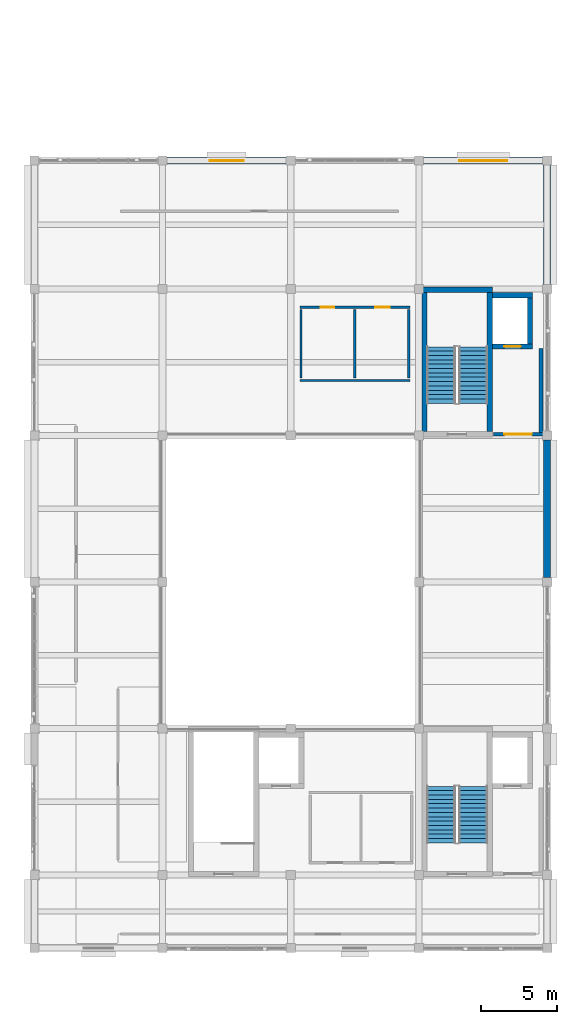
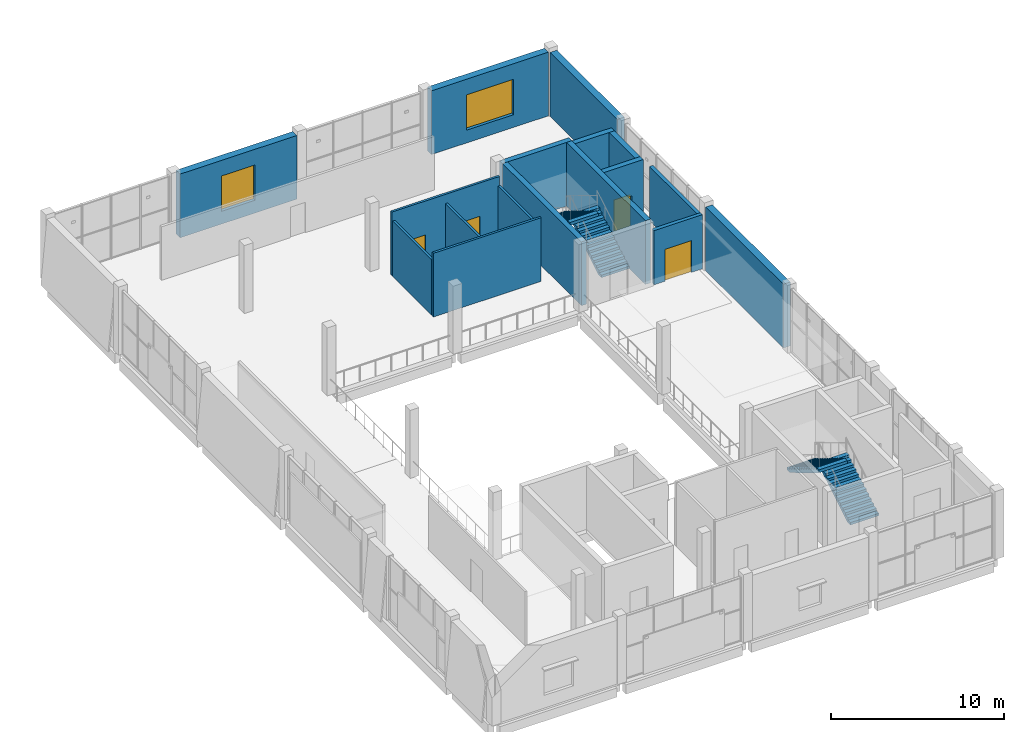
# One storey, part 29 of 37: 17 walls, 4 doors, 4 stair flights, 2 windows, 6 openings, 2 elements without a shape of their own.
"""IFC4 building model written with IfcOpenShell, lengths in metres."""

from ifc_helpers import new_model, si_unit, direction, frame, frame_2d, origin, place, context, subcontext, project, spatial, polyline, rectangle, outline, extrude, material, layer, layer_set, type_object, element, fill, aggregate, save


model = new_model("IFC4")

# Units and contexts
model_context = context("Model", 3, precision=1e-05, world=origin(), true_north=direction((0.0, 1.0)))
body_context = subcontext(model_context, "Body", "Model", "MODEL_VIEW")
ifc_project = project(units=[si_unit("LENGTHUNIT", "METRE"), si_unit("AREAUNIT", "SQUARE_METRE"), si_unit("VOLUMEUNIT", "CUBIC_METRE"), si_unit("PLANEANGLEUNIT", "RADIAN"), si_unit("MASSUNIT", "GRAM", prefix="KILO")], contexts=[model_context])

# Site, building, storey
site_placement = place(None, origin())
site = spatial("IfcSite", under=ifc_project, at=site_placement, CompositionType="ELEMENT")
building_placement = place(site_placement, origin())
building = spatial("IfcBuilding", under=site, at=building_placement, Name="Shalvenor Court Art Gallery", CompositionType="ELEMENT")
storey_placement = place(building_placement, frame((0.0, 0.0, 22.199951171875)))
storey = spatial("IfcBuildingStorey", under=building, at=storey_placement, Name="L04", CompositionType="ELEMENT", Elevation=22.199951171875)

# Walls
ifc_material_1 = material(Name="Concrete C40/50", Category="concrete")
ifc_layer_1 = layer(ifc_material_1, 0.35009765625, Name="Concrete C40/50")
ifc_layer_set_1 = layer_set([ifc_layer_1], Name="Concrete C40/50")
wall_type_1 = type_object("IfcWallType", Name="CW-W1", PredefinedType="SHEAR", material=ifc_layer_set_1)
wall_1_placement = place(storey_placement, frame((168.18798828125, 88.737060546875, 0.0), z_axis=(0.0, 0.0, 1.0), x_axis=(1.0, 0.0, 0.0)))
element("IfcWall", 1, at=wall_1_placement, inside=storey, type_object=wall_type_1, Name="L04 C1 Stair Core Shear Wall N", PredefinedType="SHEAR", context=body_context, shape_type="SweptSolid", body=[
    extrude(rectangle(XDim=4.6240234375, YDim=0.35009765625, at=frame_2d((2.31201171875, 0.0))), origin(), (0.0, 0.0, 1.0), 4.5),
])
for number, where, z_axis, x_axis, name in (
    (2, (172.636962890625, 88.56201171875, 0.0), (0.0, 0.0, 1.0), (0.0, -1.0, 0.0), "L04 C1 Stair Core Shear Wall E"),
    (3, (168.363037109375, 79.43798828125, 0.0), (0.0, 0.0, 1.0), (0.0, 1.0, 0.0), "L04 C1 Stair Core Shear Wall W"),
):
    element("IfcWall", number, at=place(storey_placement, frame(where, z_axis=z_axis, x_axis=x_axis)), inside=storey, type_object=wall_type_1, Name=name, PredefinedType="SHEAR", context=body_context, shape_type="SweptSolid", body=[
        extrude(rectangle(XDim=9.1240234375, YDim=0.35009765625, at=frame_2d((4.56201171875, 0.0))), origin(), (0.0, 0.0, 1.0), 4.5),
    ])
wall_2_placement = place(storey_placement, frame((172.81201171875, 88.375, 0.0), z_axis=(0.0, 0.0, 1.0), x_axis=(1.0, 0.0, 0.0)))
element("IfcWall", 4, at=wall_2_placement, inside=storey, type_object=wall_type_1, Name="L04 FL-01 Lift Shaft Wall N", PredefinedType="SHEAR", context=body_context, shape_type="SweptSolid", body=[
    extrude(rectangle(XDim=2.637939453125, YDim=0.35009765625, at=frame_2d((1.31884765625, 0.0))), origin(), (0.0, 0.0, 1.0), 4.5),
])
wall_3_placement = place(storey_placement, frame((175.27490234375, 88.199951171875, 0.0), z_axis=(0.0, 0.0, 1.0), x_axis=(0.0, -1.0, 0.0)))
element("IfcWall", 5, at=wall_3_placement, inside=storey, type_object=wall_type_1, Name="L04 FL-01 Lift Shaft Wall E", PredefinedType="SHEAR", context=body_context, shape_type="SweptSolid", body=[
    extrude(rectangle(XDim=3.0, YDim=0.35009765625, at=frame_2d((1.5, 0.0))), origin(), (0.0, 0.0, 1.0), 4.5),
])

# Wall, opening, door
wall_4_placement = place(storey_placement, frame((175.449951171875, 85.02490234375, 0.0), z_axis=(0.0, 0.0, 1.0), x_axis=(-1.0, 0.0, 0.0)))
wall_4 = element("IfcWall", 6, at=wall_4_placement, inside=storey, type_object=wall_type_1, Name="L04 FL-01 Lift Shaft Wall S", PredefinedType="SHEAR", context=body_context, shape_type="SweptSolid", body=[
    extrude(rectangle(XDim=2.637939453125, YDim=0.35009765625, at=frame_2d((1.31884765625, 0.0))), origin(), (0.0, 0.0, 1.0), 4.5),
])
opening_1_placement = place(wall_4_placement, frame((0.76904296875, 0.0, 0.0)))
opening_1 = element("IfcOpeningElement", 7, at=opening_1_placement, cuts=wall_4, Name="Opening LD-01", PredefinedType="OPENING", context=body_context, shape_type="SweptSolid", body=[
    extrude(rectangle(XDim=1.10009765625, YDim=2.199951171875, at=frame_2d((0.550048828125, 1.10009765625))), frame((0.0, 0.18505859375, 0.0), z_axis=(0.0, -1.0, 0.0), x_axis=(1.0, 0.0, 0.0)), (0.0, 0.0, 1.0), 0.3701171875),
])
ifc_material_2 = material(Name="Stainless steel firefighting lift sliding landing door", Category="steel")
door_type_1 = type_object("IfcDoorType", Name="LD-01", OperationType="NOTDEFINED", PredefinedType="DOOR", material=ifc_material_2)
door_1_placement = place(opening_1_placement, origin())
door_1 = element("IfcDoor", 8, at=door_1_placement, inside=storey, type_object=door_type_1, Name="DR-LD-L04-FL-01 L04 FL-01 Lift Landing Sliding Door", OperationType="DOUBLE_DOOR_SLIDING", OverallHeight=2.199951171875, OverallWidth=1.10009765625, PredefinedType="DOOR", context=body_context, shape_type="SweptSolid", body=[
    extrude(rectangle(XDim=1.10009765625, YDim=2.199951171875, at=frame_2d((0.550048828125, 1.10009765625))), frame((0.0, 0.02490234375, 0.0), z_axis=(0.0, -1.0, 0.0), x_axis=(1.0, 0.0, 0.0)), (0.0, 0.0, 1.0), 0.050048828125),
])
fill(opening_1, door_1)

# Wall, opening, window
ifc_material_3 = material(Name="Concrete C40/50", Category="concrete")
ifc_layer_2 = layer(ifc_material_3, 0.4599609375, Name="Concrete C40/50")
ifc_layer_set_2 = layer_set([ifc_layer_2], Name="Concrete C40/50")
wall_type_2 = type_object("IfcWallType", Name="EW-01", PredefinedType="SOLIDWALL", material=ifc_layer_set_2)
wall_5_placement = place(storey_placement, frame((151.5, 97.199951171875, 0.0), z_axis=(0.0, 0.0, 1.0), x_axis=(1.0, 0.0, 0.0)))
wall_5 = element("IfcWall", 9, at=wall_5_placement, inside=storey, type_object=wall_type_2, Name="L04 V1 Exterior Wall WL-L04-0086", PredefinedType="SOLIDWALL", context=body_context, shape_type="SweptSolid", body=[
    extrude(rectangle(XDim=7.800048828125, YDim=0.4599609375, at=frame_2d((3.89990234375, 0.0))), origin(), (0.0, 0.0, 1.0), 4.5),
])
opening_2_placement = place(wall_5_placement, frame((2.77490234375, 0.0, 0.89990234375)))
opening_2 = element("IfcOpeningElement", 10, at=opening_2_placement, cuts=wall_5, Name="Opening WN-17", PredefinedType="OPENING", context=body_context, shape_type="SweptSolid", body=[
    extrude(rectangle(XDim=2.25, YDim=2.5, at=frame_2d((1.125, 1.25))), frame((0.0, 0.239990234375, 0.0), z_axis=(0.0, -1.0, 0.0), x_axis=(1.0, 0.0, 0.0)), (0.0, 0.0, 1.0), 0.47998046875),
])
ifc_material_4 = material(Name="North-light conservation clear IGU", Category="glass")
window_type_1 = type_object("IfcWindowType", Name="WN-17", PartitioningType="SINGLE_PANEL", PredefinedType="WINDOW", material=ifc_material_4)
window_1_placement = place(opening_2_placement, origin())
window_1 = element("IfcWindow", 11, at=window_1_placement, inside=storey, type_object=window_type_1, Name="L04 Window WIN-L04-0017", OverallHeight=2.5, OverallWidth=2.25, PartitioningType="SINGLE_PANEL", PredefinedType="WINDOW", context=body_context, shape_type="SweptSolid", body=[
    extrude(rectangle(XDim=2.25, YDim=2.5, at=frame_2d((1.125, 1.25))), frame((0.0, 0.030029296875, 0.0), z_axis=(0.0, -1.0, 0.0), x_axis=(1.0, 0.0, 0.0)), (0.0, 0.0, 1.0), 0.06005859375),
])
fill(opening_2, window_1)

wall_6_placement = place(storey_placement, frame((168.300048828125, 97.199951171875, 0.0), z_axis=(0.0, 0.0, 1.0), x_axis=(1.0, 0.0, 0.0)))
wall_6 = element("IfcWall", 12, at=wall_6_placement, inside=storey, type_object=wall_type_2, Name="L04 V1 Exterior Wall WL-L04-0087", PredefinedType="SOLIDWALL", context=body_context, shape_type="SweptSolid", body=[
    extrude(rectangle(XDim=7.800048828125, YDim=0.4599609375, at=frame_2d((3.89990234375, 0.0))), origin(), (0.0, 0.0, 1.0), 4.5),
])
opening_3_placement = place(wall_6_placement, frame((2.324951171875, 0.0, 0.89990234375)))
opening_3 = element("IfcOpeningElement", 13, at=opening_3_placement, cuts=wall_6, Name="Opening WN-18", PredefinedType="OPENING", context=body_context, shape_type="SweptSolid", body=[
    extrude(rectangle(XDim=3.14990234375, YDim=2.5, at=frame_2d((1.574951171875, 1.25))), frame((0.0, 0.239990234375, 0.0), z_axis=(0.0, -1.0, 0.0), x_axis=(1.0, 0.0, 0.0)), (0.0, 0.0, 1.0), 0.47998046875),
])
ifc_material_5 = material(Name="North-light conservation clear IGU", Category="glass")
window_type_2 = type_object("IfcWindowType", Name="WN-18", PartitioningType="SINGLE_PANEL", PredefinedType="WINDOW", material=ifc_material_5)
window_2_placement = place(opening_3_placement, origin())
window_2 = element("IfcWindow", 14, at=window_2_placement, inside=storey, type_object=window_type_2, Name="L04 Window WIN-L04-0018", OverallHeight=2.5, OverallWidth=3.14990234375, PartitioningType="SINGLE_PANEL", PredefinedType="WINDOW", context=body_context, shape_type="SweptSolid", body=[
    extrude(rectangle(XDim=3.14990234375, YDim=2.5, at=frame_2d((1.574951171875, 1.25))), frame((0.0, 0.030029296875, 0.0), z_axis=(0.0, -1.0, 0.0), x_axis=(1.0, 0.0, 0.0)), (0.0, 0.0, 1.0), 0.06005859375),
])
fill(opening_3, window_2)

# Walls
wall_7_placement = place(storey_placement, frame((176.39990234375, 96.89990234375, 0.0), z_axis=(0.0, 0.0, 1.0), x_axis=(0.0, -1.0, 0.0)))
element("IfcWall", 15, at=wall_7_placement, inside=storey, type_object=wall_type_2, Name="L04 V1 Exterior Wall WL-L04-0088", PredefinedType="SOLIDWALL", context=body_context, shape_type="SweptSolid", body=[
    extrude(rectangle(XDim=7.7998046875, YDim=0.4599609375, at=frame_2d((3.89990234375, 0.0))), origin(), (0.0, 0.0, 1.0), 4.5),
])
wall_8_placement = place(storey_placement, frame((176.39990234375, 78.89990234375, 0.0), z_axis=(0.0, 0.0, 1.0), x_axis=(0.0, -1.0, 0.0)))
element("IfcWall", 16, at=wall_8_placement, inside=storey, type_object=wall_type_2, Name="L04 V1 Exterior Wall WL-L04-0089", PredefinedType="SOLIDWALL", context=body_context, shape_type="SweptSolid", body=[
    extrude(rectangle(XDim=9.0, YDim=0.4599609375, at=frame_2d((4.5, 0.0))), origin(), (0.0, 0.0, 1.0), 4.5),
])
ifc_material_6 = material(Name="Concrete blockwork fire wall", Category="masonry")
ifc_layer_3 = layer(ifc_material_6, 0.239990234375, Name="Concrete blockwork fire wall")
ifc_layer_set_3 = layer_set([ifc_layer_3], Name="Concrete blockwork fire wall")
wall_type_3 = type_object("IfcWallType", Name="FW-01", PredefinedType="PARTITIONING", material=ifc_layer_set_3)
wall_9_placement = place(storey_placement, frame((176.0, 84.89990234375, 0.0), z_axis=(0.0, 0.0, 1.0), x_axis=(0.0, -1.0, 0.0)))
element("IfcWall", 17, at=wall_9_placement, inside=storey, type_object=wall_type_3, Name="L04 C1 Firefighting Lobby Wall E", PredefinedType="PARTITIONING", context=body_context, shape_type="SweptSolid", body=[
    extrude(rectangle(XDim=5.5, YDim=0.239990234375, at=frame_2d((2.75, 0.0))), origin(), (0.0, 0.0, 1.0), 3.824951171875),
])

# Wall, opening, door
wall_10_placement = place(storey_placement, frame((176.1201171875, 79.280029296875, 0.0), z_axis=(0.0, 0.0, 1.0), x_axis=(-1.0, 0.0, 0.0)))
wall_10 = element("IfcWall", 18, at=wall_10_placement, inside=storey, type_object=wall_type_3, Name="L04 C1 Firefighting Lobby Wall S", PredefinedType="PARTITIONING", context=body_context, shape_type="SweptSolid", body=[
    extrude(rectangle(XDim=3.25, YDim=0.239990234375, at=frame_2d((1.625, 0.0))), origin(), (0.0, 0.0, 1.0), 3.824951171875),
])
opening_4_placement = place(wall_10_placement, frame((0.72509765625, 0.0, 0.0)))
opening_4 = element("IfcOpeningElement", 19, at=opening_4_placement, cuts=wall_10, Name="Opening FD-02", PredefinedType="OPENING", context=body_context, shape_type="SweptSolid", body=[
    extrude(rectangle(XDim=1.800048828125, YDim=2.25, at=frame_2d((0.89990234375, 1.125))), frame((0.0, 0.1298828125, 0.0), z_axis=(0.0, -1.0, 0.0), x_axis=(1.0, 0.0, 0.0)), (0.0, 0.0, 1.0), 0.260009765625),
])
ifc_material_7 = material(Name="Fire-rated double lobby doorset", Category="steel")
door_type_2 = type_object("IfcDoorType", Name="FD-02", OperationType="NOTDEFINED", PredefinedType="DOOR", material=ifc_material_7)
door_2_placement = place(opening_4_placement, origin())
door_2 = element("IfcDoor", 20, at=door_2_placement, inside=storey, type_object=door_type_2, Name="DR-FFL-L04-C1 L04 C1 Firefighting Lobby Double Door", OperationType="DOUBLE_DOOR_SINGLE_SWING", OverallHeight=2.25, OverallWidth=1.800048828125, PredefinedType="DOOR", context=body_context, shape_type="SweptSolid", body=[
    extrude(rectangle(XDim=1.800048828125, YDim=2.25, at=frame_2d((0.89990234375, 1.125))), frame((0.0, 0.02490234375, 0.0), z_axis=(0.0, -1.0, 0.0), x_axis=(1.0, 0.0, 0.0)), (0.0, 0.0, 1.0), 0.050048828125),
])
fill(opening_4, door_2)

# Wall, openings, doors
ifc_material_8 = material(Name="Moisture-resistant sanitary partition", Category="other")
ifc_layer_4 = layer(ifc_material_8, 0.14990234375, Name="Moisture-resistant sanitary partition")
ifc_layer_set_4 = layer_set([ifc_layer_4], Name="Moisture-resistant sanitary partition")
wall_type_4 = type_object("IfcWallType", Name="PT-03", PredefinedType="PARTITIONING", material=ifc_layer_set_4)
wall_11_placement = place(storey_placement, frame((160.199951171875, 87.60009765625, 0.0), z_axis=(0.0, 0.0, 1.0), x_axis=(1.0, 0.0, 0.0)))
wall_11 = element("IfcWall", 21, at=wall_11_placement, inside=storey, type_object=wall_type_4, Name="L04 C1 Restroom Front Partition", PredefinedType="PARTITIONING", context=body_context, shape_type="SweptSolid", body=[
    extrude(rectangle(XDim=7.199951171875, YDim=0.14990234375, at=frame_2d((3.60009765625, 0.0))), origin(), (0.0, 0.0, 1.0), 4.5),
])
opening_5_placement = place(wall_11_placement, frame((1.35009765625, 0.0, 0.0)))
opening_5 = element("IfcOpeningElement", 22, at=opening_5_placement, cuts=wall_11, Name="Opening ID-07", PredefinedType="OPENING", context=body_context, shape_type="SweptSolid", body=[
    extrude(rectangle(XDim=0.89990234375, YDim=2.10009765625, at=frame_2d((0.449951171875, 1.050048828125))), frame((0.0, 0.0849609375, 0.0), z_axis=(0.0, -1.0, 0.0), x_axis=(1.0, 0.0, 0.0)), (0.0, 0.0, 1.0), 0.169921875),
])
opening_6_placement = place(wall_11_placement, frame((4.925048828125, 0.0, 0.0)))
opening_6 = element("IfcOpeningElement", 23, at=opening_6_placement, cuts=wall_11, Name="Opening ID-06", PredefinedType="OPENING", context=body_context, shape_type="SweptSolid", body=[
    extrude(rectangle(XDim=0.949951171875, YDim=2.14990234375, at=frame_2d((0.47509765625, 1.074951171875))), frame((0.0, 0.0849609375, 0.0), z_axis=(0.0, -1.0, 0.0), x_axis=(1.0, 0.0, 0.0)), (0.0, 0.0, 1.0), 0.169921875),
])
ifc_material_9 = material(Name="Accessible restroom doorset", Category="steel")
door_type_3 = type_object("IfcDoorType", Name="ID-06", OperationType="NOTDEFINED", PredefinedType="DOOR", material=ifc_material_9)
door_3_placement = place(opening_6_placement, origin())
door_3 = element("IfcDoor", 24, at=door_3_placement, inside=storey, type_object=door_type_3, Name="DR-AWC-L04-C1-2 L04 C1 Accessible Restroom Door", OperationType="SINGLE_SWING_LEFT", OverallHeight=2.14990234375, OverallWidth=0.949951171875, PredefinedType="DOOR", context=body_context, shape_type="SweptSolid", body=[
    extrude(rectangle(XDim=0.949951171875, YDim=2.14990234375, at=frame_2d((0.47509765625, 1.074951171875))), frame((0.0, 0.02490234375, 0.0), z_axis=(0.0, -1.0, 0.0), x_axis=(1.0, 0.0, 0.0)), (0.0, 0.0, 1.0), 0.050048828125),
])
fill(opening_6, door_3)
ifc_material_10 = material(Name="Restroom timber doorset", Category="wood")
door_type_4 = type_object("IfcDoorType", Name="ID-07", OperationType="NOTDEFINED", PredefinedType="DOOR", material=ifc_material_10)
door_4_placement = place(opening_5_placement, origin())
door_4 = element("IfcDoor", 25, at=door_4_placement, inside=storey, type_object=door_type_4, Name="DR-WC-L04-C1-1 L04 C1 Public Restroom Door", OperationType="SINGLE_SWING_RIGHT", OverallHeight=2.10009765625, OverallWidth=0.89990234375, PredefinedType="DOOR", context=body_context, shape_type="SweptSolid", body=[
    extrude(rectangle(XDim=0.89990234375, YDim=2.10009765625, at=frame_2d((0.449951171875, 1.050048828125))), frame((0.0, 0.02490234375, 0.0), z_axis=(0.0, -1.0, 0.0), x_axis=(1.0, 0.0, 0.0)), (0.0, 0.0, 1.0), 0.050048828125),
])
fill(opening_5, door_4)

# Walls
wall_12_placement = place(storey_placement, frame((160.199951171875, 82.800048828125, 0.0), z_axis=(0.0, 0.0, 1.0), x_axis=(1.0, 0.0, 0.0)))
element("IfcWall", 26, at=wall_12_placement, inside=storey, type_object=wall_type_4, Name="L04 C1 Restroom Back Partition", PredefinedType="PARTITIONING", context=body_context, shape_type="SweptSolid", body=[
    extrude(rectangle(XDim=7.199951171875, YDim=0.14990234375, at=frame_2d((3.60009765625, 0.0))), origin(), (0.0, 0.0, 1.0), 4.5),
])
for number, where, z_axis, x_axis, name in (
    (27, (160.27490234375, 82.9599609375, 0.0), (0.0, 0.0, 1.0), (0.0, 1.0, 0.0), "L04 C1 Restroom Partition L"),
    (28, (163.800048828125, 82.9599609375, 0.0), (0.0, 0.0, 1.0), (0.0, 1.0, 0.0), "L04 C1 Restroom Partition M"),
    (29, (167.324951171875, 82.9599609375, 0.0), (0.0, 0.0, 1.0), (0.0, 1.0, 0.0), "L04 C1 Restroom Partition R"),
):
    element("IfcWall", number, at=place(storey_placement, frame(where, z_axis=z_axis, x_axis=x_axis)), inside=storey, type_object=wall_type_4, Name=name, PredefinedType="PARTITIONING", context=body_context, shape_type="SweptSolid", body=[
        extrude(rectangle(XDim=4.47998046875, YDim=0.14990234375, at=frame_2d((2.239990234375, 0.0))), origin(), (0.0, 0.0, 1.0), 3.925048828125),
    ])

# Stair, stair flights
ifc_material_11 = material(Name="Concrete C40/50", Category="concrete")
stair_type = type_object("IfcStairType", Name="ST-DL-28R-1900", PredefinedType="HALF_TURN_STAIR", material=ifc_material_11)
stair_1_placement = place(storey_placement, origin())
stair_1 = element("IfcStair", 30, at=stair_1_placement, inside=storey, type_object=stair_type, Name="L04 Core Dogleg Stair ST-01", PredefinedType="HALF_TURN_STAIR")
ifc_material_12 = material(Name="Concrete C40/50", Category="concrete")
stair_flight_type = type_object("IfcStairFlightType", Name="FL-DL-14R-1900", PredefinedType="STRAIGHT", material=ifc_material_12)
stair_flight_1_placement = place(storey_placement, frame((171.550048828125, 81.300048828125, 0.0), z_axis=(0.0, 0.0, 1.0), x_axis=(0.0, 1.0, 0.0)))
stair_flight_1 = element("IfcStairFlight", 31, at=stair_flight_1_placement, type_object=stair_flight_type, Name="ST-DL-28R-1900 flight 1", NumberOfRisers=14, NumberOfTreads=13, PredefinedType="STRAIGHT", RiserHeight=0.171428571, TreadLength=0.285, context=body_context, shape_type="SweptSolid", body=[
    extrude(outline(polyline([(0.0, 0.0), (0.0, 0.17138671875), (0.284912109375, 0.17138671875), (0.284912109375, 0.3427734375), (0.570068359375, 0.3427734375), (0.570068359375, 0.514404296875), (0.85498046875, 0.514404296875), (0.85498046875, 0.685791015625), (1.139892578125, 0.685791015625), (1.139892578125, 0.857177734375), (1.425048828125, 0.857177734375), (1.425048828125, 1.028564453125), (1.7099609375, 1.028564453125), (1.7099609375, 1.199951171875), (1.9951171875, 1.199951171875), (1.9951171875, 1.371337890625), (2.280029296875, 1.371337890625), (2.280029296875, 1.54296875), (2.56494140625, 1.54296875), (2.56494140625, 1.71435546875), (2.85009765625, 1.71435546875), (2.85009765625, 1.8857421875), (3.135009765625, 1.8857421875), (3.135009765625, 2.05712890625), (3.419921875, 2.05712890625), (3.419921875, 2.228515625), (3.705078125, 2.228515625), (3.705078125, 2.39990234375), (3.705078125, 2.0185546875), (0.34912109375, 0.0), (0.0, 0.0)])), frame((0.0, 0.949951171875, 0.0), z_axis=(0.0, -1.0, 0.0), x_axis=(1.0, 0.0, 0.0)), (0.0, 0.0, 1.0), 1.89990234375),
])
stair_flight_2_placement = place(storey_placement, frame((169.449951171875, 85.0048828125, 2.400146484375), z_axis=(0.0, 0.0, 1.0), x_axis=(0.0, -1.0, 0.0)))
stair_flight_2 = element("IfcStairFlight", 32, at=stair_flight_2_placement, type_object=stair_flight_type, Name="ST-DL-28R-1900 flight 2", NumberOfRisers=14, NumberOfTreads=13, PredefinedType="STRAIGHT", RiserHeight=0.171428571, TreadLength=0.285, context=body_context, shape_type="SweptSolid", body=[
    extrude(outline(polyline([(0.0, 0.0), (0.0, 0.17138671875), (0.284912109375, 0.17138671875), (0.284912109375, 0.3427734375), (0.570068359375, 0.3427734375), (0.570068359375, 0.514404296875), (0.85498046875, 0.514404296875), (0.85498046875, 0.685791015625), (1.139892578125, 0.685791015625), (1.139892578125, 0.857177734375), (1.425048828125, 0.857177734375), (1.425048828125, 1.028564453125), (1.7099609375, 1.028564453125), (1.7099609375, 1.199951171875), (1.9951171875, 1.199951171875), (1.9951171875, 1.371337890625), (2.280029296875, 1.371337890625), (2.280029296875, 1.54296875), (2.56494140625, 1.54296875), (2.56494140625, 1.71435546875), (2.85009765625, 1.71435546875), (2.85009765625, 1.8857421875), (3.135009765625, 1.8857421875), (3.135009765625, 2.05712890625), (3.419921875, 2.05712890625), (3.419921875, 2.228515625), (3.705078125, 2.228515625), (3.705078125, 2.39990234375), (3.705078125, 2.0185546875), (0.34912109375, 0.0), (0.0, 0.0)])), frame((0.0, 0.949951171875, 0.0), z_axis=(0.0, -1.0, 0.0), x_axis=(1.0, 0.0, 0.0)), (0.0, 0.0, 1.0), 1.89990234375),
])
aggregate(stair_1, [stair_flight_1, stair_flight_2])

stair_2_placement = place(storey_placement, origin())
stair_2 = element("IfcStair", 33, at=stair_2_placement, inside=storey, type_object=stair_type, Name="L04 Core Dogleg Stair ST-02", PredefinedType="HALF_TURN_STAIR")
stair_flight_3_placement = place(storey_placement, frame((171.550048828125, 52.5, 0.0), z_axis=(0.0, 0.0, 1.0), x_axis=(0.0, 1.0, 0.0)))
stair_flight_3 = element("IfcStairFlight", 34, at=stair_flight_3_placement, type_object=stair_flight_type, Name="ST-DL-28R-1900 flight 1", NumberOfRisers=14, NumberOfTreads=13, PredefinedType="STRAIGHT", RiserHeight=0.171428571, TreadLength=0.285, context=body_context, shape_type="SweptSolid", body=[
    extrude(outline(polyline([(0.0, 0.0), (0.0, 0.17138671875), (0.284912109375, 0.17138671875), (0.284912109375, 0.3427734375), (0.570068359375, 0.3427734375), (0.570068359375, 0.514404296875), (0.85498046875, 0.514404296875), (0.85498046875, 0.685791015625), (1.139892578125, 0.685791015625), (1.139892578125, 0.857177734375), (1.425048828125, 0.857177734375), (1.425048828125, 1.028564453125), (1.7099609375, 1.028564453125), (1.7099609375, 1.199951171875), (1.9951171875, 1.199951171875), (1.9951171875, 1.371337890625), (2.280029296875, 1.371337890625), (2.280029296875, 1.54296875), (2.56494140625, 1.54296875), (2.56494140625, 1.71435546875), (2.85009765625, 1.71435546875), (2.85009765625, 1.8857421875), (3.135009765625, 1.8857421875), (3.135009765625, 2.05712890625), (3.419921875, 2.05712890625), (3.419921875, 2.228515625), (3.705078125, 2.228515625), (3.705078125, 2.39990234375), (3.705078125, 2.0185546875), (0.34912109375, 0.0), (0.0, 0.0)])), frame((0.0, 0.949951171875, 0.0), z_axis=(0.0, -1.0, 0.0), x_axis=(1.0, 0.0, 0.0)), (0.0, 0.0, 1.0), 1.89990234375),
])
stair_flight_4_placement = place(storey_placement, frame((169.449951171875, 56.205078125, 2.400146484375), z_axis=(0.0, 0.0, 1.0), x_axis=(0.0, -1.0, 0.0)))
stair_flight_4 = element("IfcStairFlight", 35, at=stair_flight_4_placement, type_object=stair_flight_type, Name="ST-DL-28R-1900 flight 2", NumberOfRisers=14, NumberOfTreads=13, PredefinedType="STRAIGHT", RiserHeight=0.171428571, TreadLength=0.285, context=body_context, shape_type="SweptSolid", body=[
    extrude(outline(polyline([(0.0, 0.0), (0.0, 0.17138671875), (0.284912109375, 0.17138671875), (0.284912109375, 0.3427734375), (0.570068359375, 0.3427734375), (0.570068359375, 0.514404296875), (0.85498046875, 0.514404296875), (0.85498046875, 0.685791015625), (1.139892578125, 0.685791015625), (1.139892578125, 0.857177734375), (1.425048828125, 0.857177734375), (1.425048828125, 1.028564453125), (1.7099609375, 1.028564453125), (1.7099609375, 1.199951171875), (1.9951171875, 1.199951171875), (1.9951171875, 1.371337890625), (2.280029296875, 1.371337890625), (2.280029296875, 1.54296875), (2.56494140625, 1.54296875), (2.56494140625, 1.71435546875), (2.85009765625, 1.71435546875), (2.85009765625, 1.8857421875), (3.135009765625, 1.8857421875), (3.135009765625, 2.05712890625), (3.419921875, 2.05712890625), (3.419921875, 2.228515625), (3.705078125, 2.228515625), (3.705078125, 2.39990234375), (3.705078125, 2.0185546875), (0.34912109375, 0.0), (0.0, 0.0)])), frame((0.0, 0.949951171875, 0.0), z_axis=(0.0, -1.0, 0.0), x_axis=(1.0, 0.0, 0.0)), (0.0, 0.0, 1.0), 1.89990234375),
])
aggregate(stair_2, [stair_flight_3, stair_flight_4])

save(model, "model.ifc")
